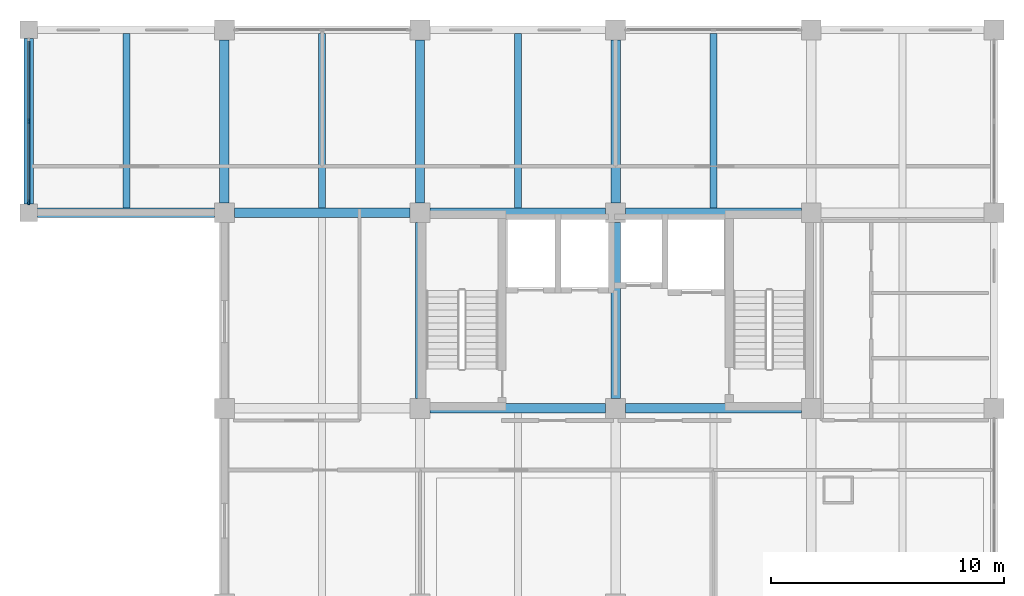
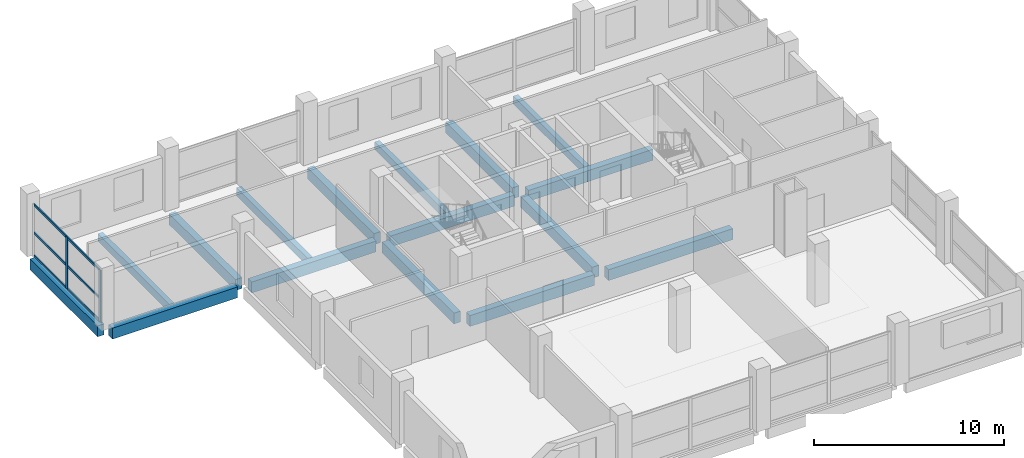
# One storey, part 3 of 9: 16 beams, 8 members, 1 element without a shape of its own.
"""IFC4 building model written with IfcOpenShell, lengths in metres."""

from ifc_helpers import new_model, si_unit, direction, frame, origin, origin_2d, place, context, subcontext, project, spatial, rectangle, extrude, material, material_profile, profile_set, type_object, element, aggregate, save


model = new_model("IFC4")

# Units and contexts
model_context = context("Model", 3, precision=1e-05, world=origin(), true_north=direction((0.0, 1.0)))
body_context = subcontext(model_context, "Body", "Model", "MODEL_VIEW")
ifc_project = project(units=[si_unit("LENGTHUNIT", "METRE"), si_unit("AREAUNIT", "SQUARE_METRE"), si_unit("VOLUMEUNIT", "CUBIC_METRE"), si_unit("PLANEANGLEUNIT", "RADIAN"), si_unit("MASSUNIT", "GRAM", prefix="KILO")], contexts=[model_context])

# Site, building, storey
site_placement = place(None, origin())
site = spatial("IfcSite", under=ifc_project, at=site_placement, CompositionType="ELEMENT")
building_placement = place(site_placement, origin())
building = spatial("IfcBuilding", under=site, at=building_placement, Name="Brinegate Botanical Conservatory", CompositionType="ELEMENT")
storey_placement = place(building_placement, frame((0.0, 0.0, 36.0)))
storey = spatial("IfcBuildingStorey", under=building, at=storey_placement, Name="L09", CompositionType="ELEMENT", Elevation=36.0)

# Beams
ifc_material_1 = material(Name="Concrete C40/50", Category="concrete")
ifc_material_profile_1 = material_profile(ifc_material_1, rectangle(XDim=0.39990234375, YDim=0.699951171875, at=origin_2d()), Name="RC BM 400x700")
ifc_profile_set_1 = profile_set([ifc_material_profile_1], Name="Concrete C40/50")
beam_type_1 = type_object("IfcBeamType", Name="Beam_BM-T2", PredefinedType="BEAM", material=ifc_profile_set_1)
beam_1_placement = place(storey_placement, frame((139.22509765625, 95.199951171875, -0.530029296875), z_axis=(1.0, 0.0, 0.0), x_axis=(0.0, 1.0, 0.0)))
element("IfcBeam", 1, at=beam_1_placement, inside=storey, type_object=beam_type_1, Name="Beam BM-T2 L09 M:18-19", PredefinedType="BEAM", context=body_context, shape_type="SweptSolid", body=[
    extrude(rectangle(XDim=0.39990234375, YDim=0.699951171875, at=origin_2d()), origin(), (0.0, 0.0, 1.0), 7.5498046875),
])
beam_2_placement = place(storey_placement, frame((147.625, 95.199951171875, -0.530029296875), z_axis=(1.0, 0.0, 0.0), x_axis=(0.0, 1.0, 0.0)))
element("IfcBeam", 2, at=beam_2_placement, inside=storey, type_object=beam_type_1, Name="Beam BM-T2 L09 M:19-20", PredefinedType="BEAM", context=body_context, shape_type="SweptSolid", body=[
    extrude(rectangle(XDim=0.39990234375, YDim=0.699951171875, at=origin_2d()), origin(), (0.0, 0.0, 1.0), 7.550048828125),
])
beam_3_placement = place(storey_placement, frame((122.375, 103.60009765625, -0.530029296875), z_axis=(1.0, 0.0, 0.0), x_axis=(0.0, 1.0, 0.0)))
element("IfcBeam", 3, at=beam_3_placement, inside=storey, type_object=beam_type_1, Name="Beam BM-T2 L09 N:16-17", PredefinedType="BEAM", context=body_context, shape_type="SweptSolid", body=[
    extrude(rectangle(XDim=0.39990234375, YDim=0.699951171875, at=origin_2d()), origin(), (0.0, 0.0, 1.0), 7.60009765625),
])
beam_4_placement = place(storey_placement, frame((130.824951171875, 103.60009765625, -0.530029296875), z_axis=(1.0, 0.0, 0.0), x_axis=(0.0, 1.0, 0.0)))
element("IfcBeam", 4, at=beam_4_placement, inside=storey, type_object=beam_type_1, Name="Beam BM-T2 L09 N:17-18", PredefinedType="BEAM", context=body_context, shape_type="SweptSolid", body=[
    extrude(rectangle(XDim=0.39990234375, YDim=0.699951171875, at=origin_2d()), origin(), (0.0, 0.0, 1.0), 7.550048828125),
])
beam_5_placement = place(storey_placement, frame((139.22509765625, 103.60009765625, -0.530029296875), z_axis=(1.0, 0.0, 0.0), x_axis=(0.0, 1.0, 0.0)))
element("IfcBeam", 5, at=beam_5_placement, inside=storey, type_object=beam_type_1, Name="Beam BM-T2 L09 N:18-19", PredefinedType="BEAM", context=body_context, shape_type="SweptSolid", body=[
    extrude(rectangle(XDim=0.39990234375, YDim=0.699951171875, at=origin_2d()), origin(), (0.0, 0.0, 1.0), 7.5498046875),
])
beam_6_placement = place(storey_placement, frame((147.625, 103.60009765625, -0.530029296875), z_axis=(1.0, 0.0, 0.0), x_axis=(0.0, 1.0, 0.0)))
element("IfcBeam", 6, at=beam_6_placement, inside=storey, type_object=beam_type_1, Name="Beam BM-T2 L09 N:19-20", PredefinedType="BEAM", context=body_context, shape_type="SweptSolid", body=[
    extrude(rectangle(XDim=0.39990234375, YDim=0.699951171875, at=origin_2d()), origin(), (0.0, 0.0, 1.0), 7.550048828125),
])
beam_7_placement = place(storey_placement, frame((122.0, 103.97509765625, -0.530029296875), z_axis=(0.0, 1.0, 0.0), x_axis=(-1.0, 0.0, 0.0)))
element("IfcBeam", 7, at=beam_7_placement, inside=storey, type_object=beam_type_1, Name="Beam BM-T2 L09 16:N-P", PredefinedType="BEAM", context=body_context, shape_type="SweptSolid", body=[
    extrude(rectangle(XDim=0.39990234375, YDim=0.699951171875, at=origin_2d()), origin(), (0.0, 0.0, 1.0), 7.099853515625),
])
beam_8_placement = place(storey_placement, frame((130.39990234375, 104.02490234375, -0.530029296875), z_axis=(0.0, 1.0, 0.0), x_axis=(-1.0, 0.0, 0.0)))
element("IfcBeam", 8, at=beam_8_placement, inside=storey, type_object=beam_type_1, Name="Beam BM-T2 L09 17:N-P", PredefinedType="BEAM", context=body_context, shape_type="SweptSolid", body=[
    extrude(rectangle(XDim=0.39990234375, YDim=0.699951171875, at=origin_2d()), origin(), (0.0, 0.0, 1.0), 7.0),
])
beam_9_placement = place(storey_placement, frame((138.800048828125, 95.625, -0.530029296875), z_axis=(0.0, 1.0, 0.0), x_axis=(-1.0, 0.0, 0.0)))
element("IfcBeam", 9, at=beam_9_placement, inside=storey, type_object=beam_type_1, Name="Beam BM-T2 L09 18:M-N", PredefinedType="BEAM", context=body_context, shape_type="SweptSolid", body=[
    extrude(rectangle(XDim=0.39990234375, YDim=0.699951171875, at=origin_2d()), origin(), (0.0, 0.0, 1.0), 7.550048828125),
])
beam_10_placement = place(storey_placement, frame((138.800048828125, 104.02490234375, -0.530029296875), z_axis=(0.0, 1.0, 0.0), x_axis=(-1.0, 0.0, 0.0)))
element("IfcBeam", 10, at=beam_10_placement, inside=storey, type_object=beam_type_1, Name="Beam BM-T2 L09 18:N-P", PredefinedType="BEAM", context=body_context, shape_type="SweptSolid", body=[
    extrude(rectangle(XDim=0.39990234375, YDim=0.699951171875, at=origin_2d()), origin(), (0.0, 0.0, 1.0), 7.0),
])
beam_11_placement = place(storey_placement, frame((147.199951171875, 95.625, -0.530029296875), z_axis=(0.0, 1.0, 0.0), x_axis=(-1.0, 0.0, 0.0)))
element("IfcBeam", 11, at=beam_11_placement, inside=storey, type_object=beam_type_1, Name="Beam BM-T2 L09 19:M-N", PredefinedType="BEAM", context=body_context, shape_type="SweptSolid", body=[
    extrude(rectangle(XDim=0.39990234375, YDim=0.699951171875, at=origin_2d()), origin(), (0.0, 0.0, 1.0), 7.550048828125),
])
beam_12_placement = place(storey_placement, frame((147.199951171875, 104.02490234375, -0.530029296875), z_axis=(0.0, 1.0, 0.0), x_axis=(-1.0, 0.0, 0.0)))
element("IfcBeam", 12, at=beam_12_placement, inside=storey, type_object=beam_type_1, Name="Beam BM-T2 L09 19:N-P", PredefinedType="BEAM", context=body_context, shape_type="SweptSolid", body=[
    extrude(rectangle(XDim=0.39990234375, YDim=0.699951171875, at=origin_2d()), origin(), (0.0, 0.0, 1.0), 7.0),
])
ifc_material_profile_2 = material_profile(ifc_material_1, rectangle(XDim=0.300048828125, YDim=0.5, at=origin_2d()), Name="RC JST 300x500")
ifc_profile_set_2 = profile_set([ifc_material_profile_2], Name="Concrete C40/50")
beam_type_2 = type_object("IfcBeamType", Name="Beam_JS-C2", PredefinedType="JOIST", material=ifc_profile_set_2)
for number, where, z_axis, x_axis, name in (
    (13, (126.199951171875, 103.800048828125, -0.429931640625), (0.0, 1.0, 0.0), (-1.0, 0.0, 0.0), "Floor joist JS-C2 L09 bay 16.13"),
    (14, (134.60009765625, 103.800048828125, -0.429931640625), (0.0, 1.0, 0.0), (-1.0, 0.0, 0.0), "Floor joist JS-C2 L09 bay 17.13"),
    (15, (143.0, 103.800048828125, -0.429931640625), (0.0, 1.0, 0.0), (-1.0, 0.0, 0.0), "Floor joist JS-C2 L09 bay 18.13"),
    (16, (151.39990234375, 103.800048828125, -0.429931640625), (0.0, 1.0, 0.0), (-1.0, 0.0, 0.0), "Floor joist JS-C2 L09 bay 19.13"),
):
    element("IfcBeam", number, at=place(storey_placement, frame(where, z_axis=z_axis, x_axis=x_axis)), inside=storey, type_object=beam_type_2, Name=name, PredefinedType="JOIST", context=body_context, shape_type="SweptSolid", body=[
        extrude(rectangle(XDim=0.300048828125, YDim=0.5, at=origin_2d()), origin(), (0.0, 0.0, 1.0), 7.5),
    ])

# Curtain wall, members
ifc_material_2 = material(Name="Thermally broken anodised aluminium AW-6063-T6", Category="aluminium")
curtain_wall_type = type_object("IfcCurtainWallType", Name="CW_CW-TW1", PredefinedType="USERDEFINED", material=ifc_material_2)
curtain_wall_placement = place(storey_placement, origin())
curtain_wall = element("IfcCurtainWall", 17, at=curtain_wall_placement, inside=storey, type_object=curtain_wall_type, Name="Tower north-west curtain wall L09", ObjectType="FACTORY CURTAIN WALL", PredefinedType="USERDEFINED")
ifc_material_profile_3 = material_profile(ifc_material_2, rectangle(XDim=0.070068359375, YDim=0.199951171875, at=origin_2d()), Name="ALUM MULLION 70x200")
ifc_profile_set_3 = profile_set([ifc_material_profile_3], Name="Thermally broken anodised aluminium AW-6063-T6")
member_type_1 = type_object("IfcMemberType", Name="Member_ML-03", PredefinedType="MULLION", material=ifc_profile_set_3)
member_1_placement = place(storey_placement, frame((122.0, 104.050048828125, 0.0), z_axis=(0.0, 0.0, 1.0), x_axis=(-1.0, 0.0, 0.0)))
member_1 = element("IfcMember", 18, at=member_1_placement, type_object=member_type_1, Name="CW-TW1 mullion 1", PredefinedType="MULLION", context=body_context, shape_type="SweptSolid", body=[
    extrude(rectangle(XDim=0.070068359375, YDim=0.199951171875, at=origin_2d()), origin(), (0.0, 0.0, 1.0), 3.320068359375),
])
member_2_placement = place(storey_placement, frame((122.0, 107.52490234375, 0.0), z_axis=(0.0, 0.0, 1.0), x_axis=(-1.0, 0.0, 0.0)))
member_2 = element("IfcMember", 19, at=member_2_placement, type_object=member_type_1, Name="CW-TW1 mullion 2", PredefinedType="MULLION", context=body_context, shape_type="SweptSolid", body=[
    extrude(rectangle(XDim=0.070068359375, YDim=0.199951171875, at=origin_2d()), origin(), (0.0, 0.0, 1.0), 3.320068359375),
])
ifc_material_profile_4 = material_profile(ifc_material_2, rectangle(XDim=0.070068359375, YDim=0.14990234375, at=origin_2d()), Name="ALUM TRANSOM 70x150")
ifc_profile_set_4 = profile_set([ifc_material_profile_4], Name="Thermally broken anodised aluminium AW-6063-T6")
member_type_2 = type_object("IfcMemberType", Name="Member_TR-03", PredefinedType="USERDEFINED", material=ifc_profile_set_4)
member_3_placement = place(storey_placement, frame((122.0, 104.0849609375, 0.034912109375), z_axis=(0.0, 1.0, 0.0), x_axis=(-1.0, 0.0, 0.0)))
member_3 = element("IfcMember", 20, at=member_3_placement, type_object=member_type_2, Name="CW-TW1 transom 1.1", ObjectType="TRANSOM", PredefinedType="USERDEFINED", context=body_context, shape_type="SweptSolid", body=[
    extrude(rectangle(XDim=0.070068359375, YDim=0.14990234375, at=origin_2d()), origin(), (0.0, 0.0, 1.0), 3.405029296875),
])
member_4_placement = place(storey_placement, frame((122.0, 104.0849609375, 1.493896484375), z_axis=(0.0, 1.0, 0.0), x_axis=(-1.0, 0.0, 0.0)))
member_4 = element("IfcMember", 21, at=member_4_placement, type_object=member_type_2, Name="CW-TW1 transom 1.2", ObjectType="TRANSOM", PredefinedType="USERDEFINED", context=body_context, shape_type="SweptSolid", body=[
    extrude(rectangle(XDim=0.070068359375, YDim=0.14990234375, at=origin_2d()), origin(), (0.0, 0.0, 1.0), 3.405029296875),
])
member_5_placement = place(storey_placement, frame((122.0, 104.0849609375, 3.284912109375), z_axis=(0.0, 1.0, 0.0), x_axis=(-1.0, 0.0, 0.0)))
member_5 = element("IfcMember", 22, at=member_5_placement, type_object=member_type_2, Name="CW-TW1 transom 1.3", ObjectType="TRANSOM", PredefinedType="USERDEFINED", context=body_context, shape_type="SweptSolid", body=[
    extrude(rectangle(XDim=0.070068359375, YDim=0.14990234375, at=origin_2d()), origin(), (0.0, 0.0, 1.0), 3.405029296875),
])
member_6_placement = place(storey_placement, frame((122.0, 107.56005859375, 0.034912109375), z_axis=(0.0, 1.0, 0.0), x_axis=(-1.0, 0.0, 0.0)))
member_6 = element("IfcMember", 23, at=member_6_placement, type_object=member_type_2, Name="CW-TW1 transom 2.1", ObjectType="TRANSOM", PredefinedType="USERDEFINED", context=body_context, shape_type="SweptSolid", body=[
    extrude(rectangle(XDim=0.070068359375, YDim=0.14990234375, at=origin_2d()), origin(), (0.0, 0.0, 1.0), 3.405029296875),
])
member_7_placement = place(storey_placement, frame((122.0, 107.56005859375, 1.493896484375), z_axis=(0.0, 1.0, 0.0), x_axis=(-1.0, 0.0, 0.0)))
member_7 = element("IfcMember", 24, at=member_7_placement, type_object=member_type_2, Name="CW-TW1 transom 2.2", ObjectType="TRANSOM", PredefinedType="USERDEFINED", context=body_context, shape_type="SweptSolid", body=[
    extrude(rectangle(XDim=0.070068359375, YDim=0.14990234375, at=origin_2d()), origin(), (0.0, 0.0, 1.0), 3.405029296875),
])
member_8_placement = place(storey_placement, frame((122.0, 107.56005859375, 3.284912109375), z_axis=(0.0, 1.0, 0.0), x_axis=(-1.0, 0.0, 0.0)))
member_8 = element("IfcMember", 25, at=member_8_placement, type_object=member_type_2, Name="CW-TW1 transom 2.3", ObjectType="TRANSOM", PredefinedType="USERDEFINED", context=body_context, shape_type="SweptSolid", body=[
    extrude(rectangle(XDim=0.070068359375, YDim=0.14990234375, at=origin_2d()), origin(), (0.0, 0.0, 1.0), 3.405029296875),
])
aggregate(curtain_wall, [member_1, member_2, member_3, member_4, member_5, member_6, member_7, member_8])

save(model, "model.ifc")
